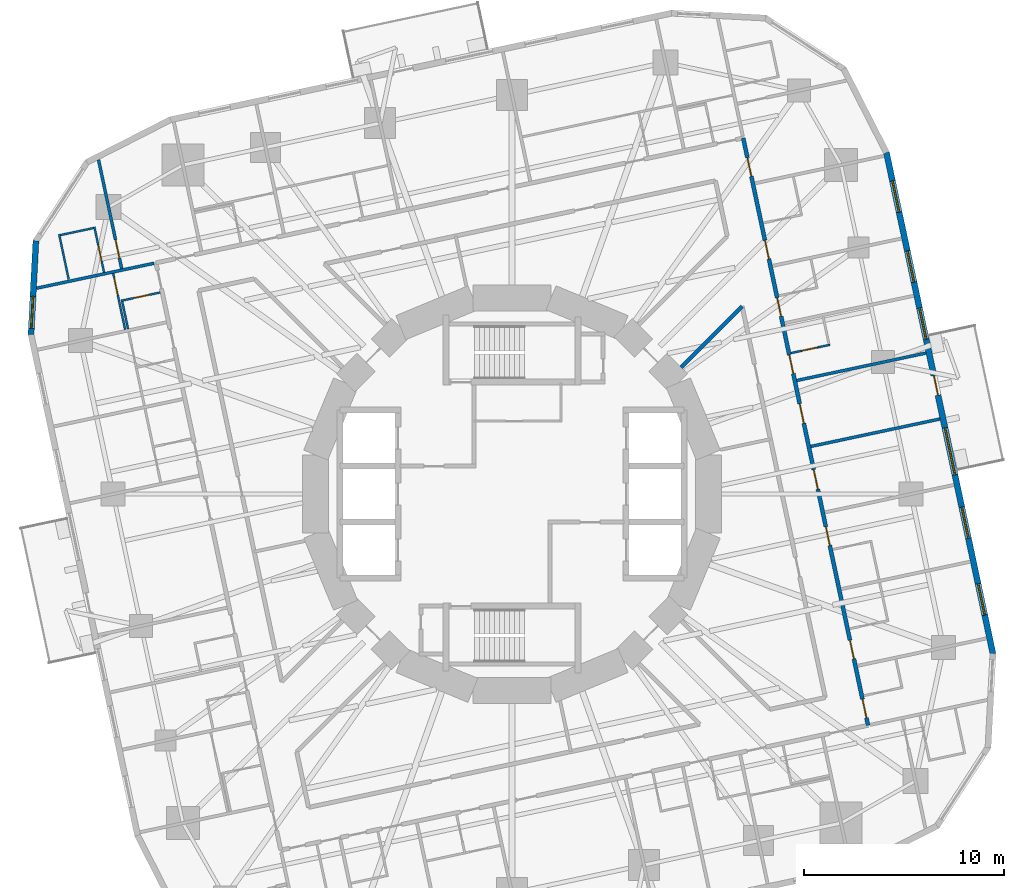
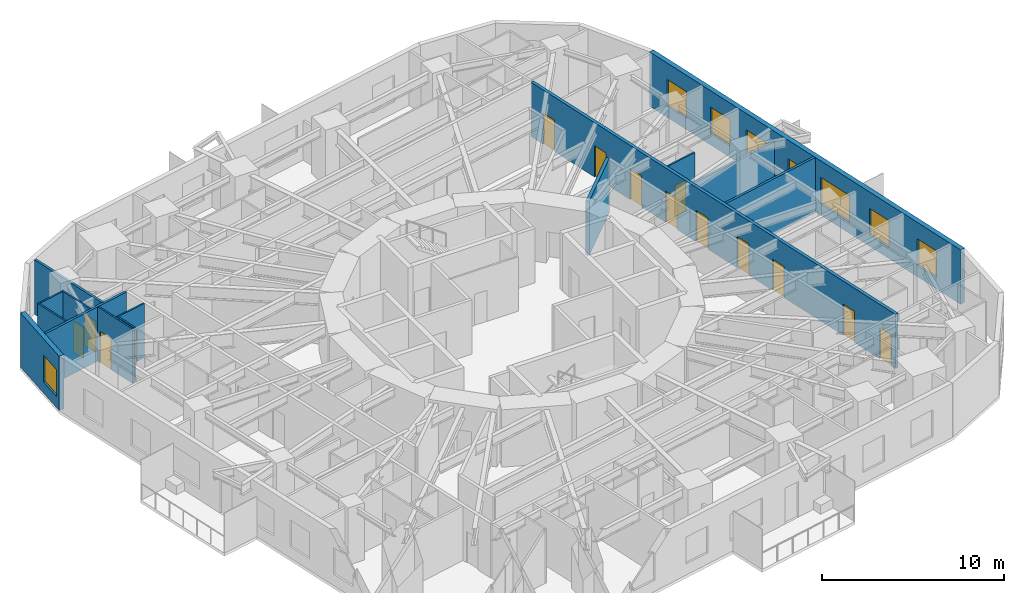
# One storey, part 9 of 14: 15 doors, 15 walls, 7 windows, 22 openings.
"""IFC4 building model written with IfcOpenShell, lengths in metres."""

from ifc_helpers import new_model, si_unit, direction, frame, frame_2d, origin, place, context, subcontext, project, spatial, rectangle, extrude, material, layer, layer_set, type_object, element, fill, save


model = new_model("IFC4")

# Units and contexts
model_context = context("Model", 3, precision=1e-05, world=origin(), true_north=direction((0.0, 1.0)))
body_context = subcontext(model_context, "Body", "Model", "MODEL_VIEW")
ifc_project = project(units=[si_unit("LENGTHUNIT", "METRE"), si_unit("AREAUNIT", "SQUARE_METRE"), si_unit("VOLUMEUNIT", "CUBIC_METRE"), si_unit("PLANEANGLEUNIT", "RADIAN"), si_unit("MASSUNIT", "GRAM", prefix="KILO")], contexts=[model_context])

# Site, building, storey
site_placement = place(None, origin())
site = spatial("IfcSite", under=ifc_project, at=site_placement, CompositionType="ELEMENT")
building_placement = place(site_placement, origin())
building = spatial("IfcBuilding", under=site, at=building_placement, Name="Nakasero Lantern House", CompositionType="ELEMENT")
storey_placement = place(building_placement, frame((0.0, 0.0, 116.550048828125)))
storey = spatial("IfcBuildingStorey", under=building, at=storey_placement, Name="L28", CompositionType="ELEMENT", Elevation=116.550048828125)

# Wall, openings, doors
ifc_material_1 = material(Name="Blockwork", Category="masonry")
ifc_layer_1 = layer(ifc_material_1, 0.199951171875)
ifc_layer_set_1 = layer_set([ifc_layer_1], Name="Corridor wall 200")
wall_type_1 = type_object("IfcWallType", Name="Corridor wall 200", PredefinedType="PARTITIONING", material=ifc_layer_set_1)
wall_1_placement = place(storey_placement, frame((17.790771484375, -11.553466796875, 0.0), z_axis=(0.0, 0.0, 1.0), x_axis=(-0.207911508826, 0.978147639417, 0.0)))
wall_1 = element("IfcWall", 1, at=wall_1_placement, inside=storey, type_object=wall_type_1, Name="Corridor wall L28 CW0", PredefinedType="PARTITIONING", context=body_context, shape_type="SweptSolid", body=[
    extrude(rectangle(XDim=29.999755859375, YDim=0.199951171875, at=frame_2d((15.0, 0.0))), origin(), (0.0, 0.0, 1.0), 3.64990234375),
])
opening_1_placement = place(wall_1_placement, frame((0.375, 0.0, 0.0)))
opening_1 = element("IfcOpeningElement", 2, at=opening_1_placement, cuts=wall_1, Name="Opening D01", PredefinedType="OPENING", context=body_context, shape_type="SweptSolid", body=[
    extrude(rectangle(XDim=0.949951171875, YDim=2.10009765625, at=frame_2d((0.47509765625, 1.050048828125))), frame((0.0, 0.119873046875, 0.0), z_axis=(0.0, -1.0, 0.0), x_axis=(1.0, 0.0, 0.0)), (0.0, 0.0, 1.0), 0.239990234375),
])
opening_2_placement = place(wall_1_placement, frame((3.39111328125, 0.0, 0.0)))
opening_2 = element("IfcOpeningElement", 3, at=opening_2_placement, cuts=wall_1, Name="Opening D01", PredefinedType="OPENING", context=body_context, shape_type="SweptSolid", body=[
    extrude(rectangle(XDim=0.949951171875, YDim=2.10009765625, at=frame_2d((0.47509765625, 1.050048828125))), frame((0.0, 0.119873046875, 0.0), z_axis=(0.0, -1.0, 0.0), x_axis=(1.0, 0.0, 0.0)), (0.0, 0.0, 1.0), 0.239990234375),
])
opening_3_placement = place(wall_1_placement, frame((9.185546875, 0.0, 0.0)))
opening_3 = element("IfcOpeningElement", 4, at=opening_3_placement, cuts=wall_1, Name="Opening D01", PredefinedType="OPENING", context=body_context, shape_type="SweptSolid", body=[
    extrude(rectangle(XDim=0.949951171875, YDim=2.10009765625, at=frame_2d((0.47509765625, 1.050048828125))), frame((0.0, 0.119873046875, 0.0), z_axis=(0.0, -1.0, 0.0), x_axis=(1.0, 0.0, 0.0)), (0.0, 0.0, 1.0), 0.239990234375),
])
opening_4_placement = place(wall_1_placement, frame((17.967529296875, 0.0, 0.0)))
opening_4 = element("IfcOpeningElement", 5, at=opening_4_placement, cuts=wall_1, Name="Opening D01", PredefinedType="OPENING", context=body_context, shape_type="SweptSolid", body=[
    extrude(rectangle(XDim=0.949951171875, YDim=2.10009765625, at=frame_2d((0.47509765625, 1.050048828125))), frame((0.0, 0.119873046875, 0.0), z_axis=(0.0, -1.0, 0.0), x_axis=(1.0, 0.0, 0.0)), (0.0, 0.0, 1.0), 0.239990234375),
])
opening_5_placement = place(wall_1_placement, frame((20.89404296875, 0.0, 0.0)))
opening_5 = element("IfcOpeningElement", 6, at=opening_5_placement, cuts=wall_1, Name="Opening D01", PredefinedType="OPENING", context=body_context, shape_type="SweptSolid", body=[
    extrude(rectangle(XDim=0.949951171875, YDim=2.10009765625, at=frame_2d((0.47509765625, 1.050048828125))), frame((0.0, 0.119873046875, 0.0), z_axis=(0.0, -1.0, 0.0), x_axis=(1.0, 0.0, 0.0)), (0.0, 0.0, 1.0), 0.239990234375),
])
opening_6_placement = place(wall_1_placement, frame((23.8203125, 0.0, 0.0)))
opening_6 = element("IfcOpeningElement", 7, at=opening_6_placement, cuts=wall_1, Name="Opening D01", PredefinedType="OPENING", context=body_context, shape_type="SweptSolid", body=[
    extrude(rectangle(XDim=0.949951171875, YDim=2.10009765625, at=frame_2d((0.47509765625, 1.050048828125))), frame((0.0, 0.119873046875, 0.0), z_axis=(0.0, -1.0, 0.0), x_axis=(1.0, 0.0, 0.0)), (0.0, 0.0, 1.0), 0.239990234375),
])
opening_7_placement = place(wall_1_placement, frame((28.038330078125, 0.0, 0.0)))
opening_7 = element("IfcOpeningElement", 8, at=opening_7_placement, cuts=wall_1, Name="Opening D01", PredefinedType="OPENING", context=body_context, shape_type="SweptSolid", body=[
    extrude(rectangle(XDim=0.949951171875, YDim=2.10009765625, at=frame_2d((0.47509765625, 1.050048828125))), frame((0.0, 0.119873046875, 0.0), z_axis=(0.0, -1.0, 0.0), x_axis=(1.0, 0.0, 0.0)), (0.0, 0.0, 1.0), 0.239990234375),
])
opening_8_placement = place(wall_1_placement, frame((12.05517578125, 0.0, 0.0)))
opening_8 = element("IfcOpeningElement", 9, at=opening_8_placement, cuts=wall_1, Name="Opening D03", PredefinedType="OPENING", context=body_context, shape_type="SweptSolid", body=[
    extrude(rectangle(XDim=1.0, YDim=2.10009765625, at=frame_2d((0.5, 1.050048828125))), frame((0.0, 0.119873046875, 0.0), z_axis=(0.0, -1.0, 0.0), x_axis=(1.0, 0.0, 0.0)), (0.0, 0.0, 1.0), 0.239990234375),
])
opening_9_placement = place(wall_1_placement, frame((15.423828125, 0.0, 0.0)))
opening_9 = element("IfcOpeningElement", 10, at=opening_9_placement, cuts=wall_1, Name="Opening D03", PredefinedType="OPENING", context=body_context, shape_type="SweptSolid", body=[
    extrude(rectangle(XDim=1.0, YDim=2.10009765625, at=frame_2d((0.5, 1.050048828125))), frame((0.0, 0.119873046875, 0.0), z_axis=(0.0, -1.0, 0.0), x_axis=(1.0, 0.0, 0.0)), (0.0, 0.0, 1.0), 0.239990234375),
])
ifc_material_2 = material(Name="Timber C24", Category="wood")
door_type_1 = type_object("IfcDoorType", Name="Bedroom door FD30S 950", OperationType="SINGLE_SWING_LEFT", PredefinedType="DOOR", material=ifc_material_2)
door_1_placement = place(opening_1_placement, origin())
door_1 = element("IfcDoor", 11, at=door_1_placement, inside=storey, type_object=door_type_1, Name="Door L28 D0-00", OperationType="SINGLE_SWING_LEFT", OverallHeight=2.10009765625, OverallWidth=0.949951171875, PredefinedType="DOOR", context=body_context, shape_type="SweptSolid", body=[
    extrude(rectangle(XDim=0.949951171875, YDim=2.10009765625, at=frame_2d((0.47509765625, 1.050048828125))), frame((0.0, 0.02490234375, 0.0), z_axis=(0.0, -1.0, 0.0), x_axis=(1.0, 0.0, 0.0)), (0.0, 0.0, 1.0), 0.050048828125),
])
fill(opening_1, door_1)
door_2_placement = place(opening_2_placement, origin())
door_2 = element("IfcDoor", 12, at=door_2_placement, inside=storey, type_object=door_type_1, Name="Door L28 D0-01", OperationType="SINGLE_SWING_LEFT", OverallHeight=2.10009765625, OverallWidth=0.949951171875, PredefinedType="DOOR", context=body_context, shape_type="SweptSolid", body=[
    extrude(rectangle(XDim=0.949951171875, YDim=2.10009765625, at=frame_2d((0.47509765625, 1.050048828125))), frame((0.0, 0.02490234375, 0.0), z_axis=(0.0, -1.0, 0.0), x_axis=(1.0, 0.0, 0.0)), (0.0, 0.0, 1.0), 0.050048828125),
])
fill(opening_2, door_2)
door_3_placement = place(opening_3_placement, origin())
door_3 = element("IfcDoor", 13, at=door_3_placement, inside=storey, type_object=door_type_1, Name="Door L28 D0-02", OperationType="SINGLE_SWING_LEFT", OverallHeight=2.10009765625, OverallWidth=0.949951171875, PredefinedType="DOOR", context=body_context, shape_type="SweptSolid", body=[
    extrude(rectangle(XDim=0.949951171875, YDim=2.10009765625, at=frame_2d((0.47509765625, 1.050048828125))), frame((0.0, 0.02490234375, 0.0), z_axis=(0.0, -1.0, 0.0), x_axis=(1.0, 0.0, 0.0)), (0.0, 0.0, 1.0), 0.050048828125),
])
fill(opening_3, door_3)
door_4_placement = place(opening_4_placement, origin())
door_4 = element("IfcDoor", 14, at=door_4_placement, inside=storey, type_object=door_type_1, Name="Door L28 D0-05", OperationType="SINGLE_SWING_RIGHT", OverallHeight=2.10009765625, OverallWidth=0.949951171875, PredefinedType="DOOR", context=body_context, shape_type="SweptSolid", body=[
    extrude(rectangle(XDim=0.949951171875, YDim=2.10009765625, at=frame_2d((0.47509765625, 1.050048828125))), frame((0.0, 0.02490234375, 0.0), z_axis=(0.0, -1.0, 0.0), x_axis=(1.0, 0.0, 0.0)), (0.0, 0.0, 1.0), 0.050048828125),
])
fill(opening_4, door_4)
door_5_placement = place(opening_5_placement, origin())
door_5 = element("IfcDoor", 15, at=door_5_placement, inside=storey, type_object=door_type_1, Name="Door L28 D0-06", OperationType="SINGLE_SWING_RIGHT", OverallHeight=2.10009765625, OverallWidth=0.949951171875, PredefinedType="DOOR", context=body_context, shape_type="SweptSolid", body=[
    extrude(rectangle(XDim=0.949951171875, YDim=2.10009765625, at=frame_2d((0.47509765625, 1.050048828125))), frame((0.0, 0.02490234375, 0.0), z_axis=(0.0, -1.0, 0.0), x_axis=(1.0, 0.0, 0.0)), (0.0, 0.0, 1.0), 0.050048828125),
])
fill(opening_5, door_5)
door_6_placement = place(opening_6_placement, origin())
door_6 = element("IfcDoor", 16, at=door_6_placement, inside=storey, type_object=door_type_1, Name="Door L28 D0-07", OperationType="SINGLE_SWING_RIGHT", OverallHeight=2.10009765625, OverallWidth=0.949951171875, PredefinedType="DOOR", context=body_context, shape_type="SweptSolid", body=[
    extrude(rectangle(XDim=0.949951171875, YDim=2.10009765625, at=frame_2d((0.47509765625, 1.050048828125))), frame((0.0, 0.02490234375, 0.0), z_axis=(0.0, -1.0, 0.0), x_axis=(1.0, 0.0, 0.0)), (0.0, 0.0, 1.0), 0.050048828125),
])
fill(opening_6, door_6)
door_7_placement = place(opening_7_placement, origin())
door_7 = element("IfcDoor", 17, at=door_7_placement, inside=storey, type_object=door_type_1, Name="Door L28 D0-08", OperationType="SINGLE_SWING_RIGHT", OverallHeight=2.10009765625, OverallWidth=0.949951171875, PredefinedType="DOOR", context=body_context, shape_type="SweptSolid", body=[
    extrude(rectangle(XDim=0.949951171875, YDim=2.10009765625, at=frame_2d((0.47509765625, 1.050048828125))), frame((0.0, 0.02490234375, 0.0), z_axis=(0.0, -1.0, 0.0), x_axis=(1.0, 0.0, 0.0)), (0.0, 0.0, 1.0), 0.050048828125),
])
fill(opening_7, door_7)
ifc_material_3 = material(Name="Timber C24", Category="wood")
door_type_2 = type_object("IfcDoorType", Name="Lounge door FD30S 1000", OperationType="SINGLE_SWING_LEFT", PredefinedType="DOOR", material=ifc_material_3)
door_8_placement = place(opening_8_placement, origin())
door_8 = element("IfcDoor", 18, at=door_8_placement, inside=storey, type_object=door_type_2, Name="Door L28 DK0", OperationType="SINGLE_SWING_LEFT", OverallHeight=2.10009765625, OverallWidth=1.0, PredefinedType="DOOR", context=body_context, shape_type="SweptSolid", body=[
    extrude(rectangle(XDim=1.0, YDim=2.10009765625, at=frame_2d((0.5, 1.050048828125))), frame((0.0, 0.02490234375, 0.0), z_axis=(0.0, -1.0, 0.0), x_axis=(1.0, 0.0, 0.0)), (0.0, 0.0, 1.0), 0.050048828125),
])
fill(opening_8, door_8)
door_9_placement = place(opening_9_placement, origin())
door_9 = element("IfcDoor", 19, at=door_9_placement, inside=storey, type_object=door_type_2, Name="Door L28 DK0-1", OperationType="SINGLE_SWING_RIGHT", OverallHeight=2.10009765625, OverallWidth=1.0, PredefinedType="DOOR", context=body_context, shape_type="SweptSolid", body=[
    extrude(rectangle(XDim=1.0, YDim=2.10009765625, at=frame_2d((0.5, 1.050048828125))), frame((0.0, 0.02490234375, 0.0), z_axis=(0.0, -1.0, 0.0), x_axis=(1.0, 0.0, 0.0)), (0.0, 0.0, 1.0), 0.050048828125),
])
fill(opening_9, door_9)

# Wall
wall_2_placement = place(storey_placement, frame((8.45556640625, 6.334228515625, 0.0), z_axis=(0.0, 0.0, 1.0), x_axis=(0.707106781187, 0.707106781187, 0.0)))
element("IfcWall", 20, at=wall_2_placement, inside=storey, type_object=wall_type_1, Name="Corridor wall L28 PS02b", PredefinedType="PARTITIONING", context=body_context, shape_type="SweptSolid", body=[
    extrude(rectangle(XDim=4.30712890625, YDim=0.199951171875, at=frame_2d((2.153564453125, 0.0))), origin(), (0.0, 0.0, 1.0), 3.64990234375),
])

# Wall, opening, door
ifc_material_4 = material(Name="Blockwork", Category="masonry")
ifc_layer_2 = layer(ifc_material_4, 0.10009765625)
ifc_layer_set_2 = layer_set([ifc_layer_2], Name="En-suite wall 100")
wall_type_2 = type_object("IfcWallType", Name="En-suite wall 100", PredefinedType="PARTITIONING", material=ifc_layer_set_2)
wall_3_placement = place(storey_placement, frame((13.939697265625, 7.046142578125, 0.0), z_axis=(0.0, 0.0, 1.0), x_axis=(0.978152955943, 0.207886494942, 0.0)))
wall_3 = element("IfcWall", 21, at=wall_3_placement, inside=storey, type_object=wall_type_2, Name="En-suite wall L28 ES0-05", PredefinedType="PARTITIONING", context=body_context, shape_type="SweptSolid", body=[
    extrude(rectangle(XDim=2.0, YDim=0.10009765625, at=frame_2d((1.0, 0.0))), origin(), (0.0, 0.0, 1.0), 3.64990234375),
])
opening_10_placement = place(wall_3_placement, frame((0.550048828125, 0.0, 0.0)))
opening_10 = element("IfcOpeningElement", 22, at=opening_10_placement, cuts=wall_3, Name="Opening D02", PredefinedType="OPENING", context=body_context, shape_type="SweptSolid", body=[
    extrude(rectangle(XDim=0.800048828125, YDim=2.10009765625, at=frame_2d((0.39990234375, 1.050048828125))), frame((0.0, 0.070068359375, 0.0), z_axis=(0.0, -1.0, 0.0), x_axis=(1.0, 0.0, 0.0)), (0.0, 0.0, 1.0), 0.14013671875),
])
ifc_material_5 = material(Name="Timber C24", Category="wood")
door_type_3 = type_object("IfcDoorType", Name="En-suite door 800", OperationType="SINGLE_SWING_RIGHT", PredefinedType="DOOR", material=ifc_material_5)
door_10_placement = place(opening_10_placement, origin())
door_10 = element("IfcDoor", 23, at=door_10_placement, inside=storey, type_object=door_type_3, Name="Door L28 DE0-05", OperationType="SINGLE_SWING_LEFT", OverallHeight=2.10009765625, OverallWidth=0.800048828125, PredefinedType="DOOR", context=body_context, shape_type="SweptSolid", body=[
    extrude(rectangle(XDim=0.800048828125, YDim=2.10009765625, at=frame_2d((0.39990234375, 1.050048828125))), frame((0.0, 0.02490234375, 0.0), z_axis=(0.0, -1.0, 0.0), x_axis=(1.0, 0.0, 0.0)), (0.0, 0.0, 1.0), 0.050048828125),
])
fill(opening_10, door_10)

wall_4_placement = place(storey_placement, frame((-20.382568359375, 11.069091796875, 0.0), z_axis=(0.0, 0.0, 1.0), x_axis=(-0.207965047255, 0.978136257952, 0.0)))
wall_4 = element("IfcWall", 24, at=wall_4_placement, inside=storey, type_object=wall_type_2, Name="En-suite wall L28 ES1-08", PredefinedType="PARTITIONING", context=body_context, shape_type="SweptSolid", body=[
    extrude(rectangle(XDim=2.3349609375, YDim=0.10009765625, at=frame_2d((1.16748046875, 0.0))), origin(), (0.0, 0.0, 1.0), 3.64990234375),
])
opening_11_placement = place(wall_4_placement, frame((0.5849609375, 0.0, 0.0)))
opening_11 = element("IfcOpeningElement", 25, at=opening_11_placement, cuts=wall_4, Name="Opening D02", PredefinedType="OPENING", context=body_context, shape_type="SweptSolid", body=[
    extrude(rectangle(XDim=0.800048828125, YDim=2.10009765625, at=frame_2d((0.39990234375, 1.050048828125))), frame((0.0, 0.070068359375, 0.0), z_axis=(0.0, -1.0, 0.0), x_axis=(1.0, 0.0, 0.0)), (0.0, 0.0, 1.0), 0.14013671875),
])
door_11_placement = place(opening_11_placement, origin())
door_11 = element("IfcDoor", 26, at=door_11_placement, inside=storey, type_object=door_type_3, Name="Door L28 DE1-08", OperationType="SINGLE_SWING_LEFT", OverallHeight=2.10009765625, OverallWidth=0.800048828125, PredefinedType="DOOR", context=body_context, shape_type="SweptSolid", body=[
    extrude(rectangle(XDim=0.800048828125, YDim=2.10009765625, at=frame_2d((0.39990234375, 1.050048828125))), frame((0.0, 0.02490234375, 0.0), z_axis=(0.0, -1.0, 0.0), x_axis=(1.0, 0.0, 0.0)), (0.0, 0.0, 1.0), 0.050048828125),
])
fill(opening_11, door_11)

# Walls
wall_5_placement = place(storey_placement, frame((-20.906494140625, 13.293701171875, 0.0), z_axis=(0.0, 0.0, 1.0), x_axis=(-0.978168704767, -0.207812379357, 0.0)))
element("IfcWall", 27, at=wall_5_placement, inside=storey, type_object=wall_type_2, Name="En-suite wall L28 EE1-08", PredefinedType="PARTITIONING", context=body_context, shape_type="SweptSolid", body=[
    extrude(rectangle(XDim=1.699951171875, YDim=0.10009765625, at=frame_2d((0.85009765625, 0.0))), origin(), (0.0, 0.0, 1.0), 3.64990234375),
])
wall_6_placement = place(storey_placement, frame((-22.150634765625, 10.72900390625, 0.0), z_axis=(0.0, 0.0, 1.0), x_axis=(-0.207839712757, 0.978162897375, 0.0)))
element("IfcWall", 28, at=wall_6_placement, inside=storey, type_object=wall_type_2, Name="En-suite wall L28 EV1-08", PredefinedType="PARTITIONING", context=body_context, shape_type="SweptSolid", body=[
    extrude(rectangle(XDim=2.300048828125, YDim=0.10009765625, at=frame_2d((1.14990234375, 0.0))), origin(), (0.0, 0.0, 1.0), 3.64990234375),
])

# Wall, opening, door
wall_7_placement = place(storey_placement, frame((-17.57861328125, 10.07421875, 0.0), z_axis=(0.0, 0.0, 1.0), x_axis=(-0.978152955943, -0.207886494942, 0.0)))
wall_7 = element("IfcWall", 29, at=wall_7_placement, inside=storey, type_object=wall_type_2, Name="En-suite wall L28 ES2-00", PredefinedType="PARTITIONING", context=body_context, shape_type="SweptSolid", body=[
    extrude(rectangle(XDim=2.0, YDim=0.10009765625, at=frame_2d((1.0, 0.0))), origin(), (0.0, 0.0, 1.0), 3.64990234375),
])
opening_12_placement = place(wall_7_placement, frame((0.550048828125, 0.0, 0.0)))
opening_12 = element("IfcOpeningElement", 30, at=opening_12_placement, cuts=wall_7, Name="Opening D02", PredefinedType="OPENING", context=body_context, shape_type="SweptSolid", body=[
    extrude(rectangle(XDim=0.800048828125, YDim=2.10009765625, at=frame_2d((0.39990234375, 1.050048828125))), frame((0.0, 0.070068359375, 0.0), z_axis=(0.0, -1.0, 0.0), x_axis=(1.0, 0.0, 0.0)), (0.0, 0.0, 1.0), 0.14013671875),
])
door_12_placement = place(opening_12_placement, origin())
door_12 = element("IfcDoor", 31, at=door_12_placement, inside=storey, type_object=door_type_3, Name="Door L28 DE2-00", OperationType="SINGLE_SWING_LEFT", OverallHeight=2.10009765625, OverallWidth=0.800048828125, PredefinedType="DOOR", context=body_context, shape_type="SweptSolid", body=[
    extrude(rectangle(XDim=0.800048828125, YDim=2.10009765625, at=frame_2d((0.39990234375, 1.050048828125))), frame((0.0, 0.02490234375, 0.0), z_axis=(0.0, -1.0, 0.0), x_axis=(1.0, 0.0, 0.0)), (0.0, 0.0, 1.0), 0.050048828125),
])
fill(opening_12, door_12)

# Wall
wall_8_placement = place(storey_placement, frame((-19.4755859375, 9.619873046875, 0.0), z_axis=(0.0, 0.0, 1.0), x_axis=(0.207873355681, -0.978155748334, 0.0)))
element("IfcWall", 32, at=wall_8_placement, inside=storey, type_object=wall_type_2, Name="En-suite wall L28 EE2-00", PredefinedType="PARTITIONING", context=body_context, shape_type="SweptSolid", body=[
    extrude(rectangle(XDim=1.39990234375, YDim=0.10009765625, at=frame_2d((0.699951171875, 0.0))), origin(), (0.0, 0.0, 1.0), 3.64990234375),
])

# Wall, opening, door
wall_9_placement = place(storey_placement, frame((-19.92724609375, 11.022705078125, 0.0), z_axis=(0.0, 0.0, 1.0), x_axis=(0.207929050419, -0.978143910676, 0.0)))
wall_9 = element("IfcWall", 33, at=wall_9_placement, inside=storey, type_object=wall_type_2, Name="En-suite wall L28 EL2-00", PredefinedType="PARTITIONING", context=body_context, shape_type="SweptSolid", body=[
    extrude(rectangle(XDim=2.8662109375, YDim=0.10009765625, at=frame_2d((1.43310546875, 0.0))), origin(), (0.0, 0.0, 1.0), 3.64990234375),
])
opening_13_placement = place(wall_9_placement, frame((0.199951171875, 0.0, 0.0)))
opening_13 = element("IfcOpeningElement", 34, at=opening_13_placement, cuts=wall_9, Name="Opening D17", PredefinedType="OPENING", context=body_context, shape_type="SweptSolid", body=[
    extrude(rectangle(XDim=0.89990234375, YDim=2.10009765625, at=frame_2d((0.449951171875, 1.050048828125))), frame((0.0, 0.070068359375, 0.0), z_axis=(0.0, -1.0, 0.0), x_axis=(1.0, 0.0, 0.0)), (0.0, 0.0, 1.0), 0.14013671875),
])
ifc_material_6 = material(Name="Timber C24", Category="wood")
door_type_4 = type_object("IfcDoorType", Name="Bedroom door FD30S 900", OperationType="SINGLE_SWING_LEFT", PredefinedType="DOOR", material=ifc_material_6)
door_13_placement = place(opening_13_placement, origin())
door_13 = element("IfcDoor", 35, at=door_13_placement, inside=storey, type_object=door_type_4, Name="Door L28 DL2-00", OperationType="SINGLE_SWING_LEFT", OverallHeight=2.10009765625, OverallWidth=0.89990234375, PredefinedType="DOOR", context=body_context, shape_type="SweptSolid", body=[
    extrude(rectangle(XDim=0.89990234375, YDim=2.10009765625, at=frame_2d((0.449951171875, 1.050048828125))), frame((0.0, 0.02490234375, 0.0), z_axis=(0.0, -1.0, 0.0), x_axis=(1.0, 0.0, 0.0)), (0.0, 0.0, 1.0), 0.050048828125),
])
fill(opening_13, door_13)

# Wall, openings, door, windows
ifc_material_7 = material(Name="Aluminium rainscreen on blockwork", Category="masonry")
ifc_layer_3 = layer(ifc_material_7, 0.300048828125)
ifc_layer_set_3 = layer_set([ifc_layer_3], Name="Facade wall 300")
wall_type_3 = type_object("IfcWallType", Name="Facade wall 300", PredefinedType="SOLIDWALL", material=ifc_layer_set_3)
wall_10_placement = place(storey_placement, frame((24.03369140625, -7.9775390625, 0.0), z_axis=(0.0, 0.0, 1.0), x_axis=(-0.207909055127, 0.978148160964, 0.0)))
wall_10 = element("IfcWall", 36, at=wall_10_placement, inside=storey, type_object=wall_type_3, Name="Facade wall L28 FW0S", PredefinedType="SOLIDWALL", context=body_context, shape_type="SweptSolid", body=[
    extrude(rectangle(XDim=25.60009765625, YDim=0.300048828125, at=frame_2d((12.800048828125, 0.0))), origin(), (0.0, 0.0, 1.0), 3.64990234375),
])
opening_14_placement = place(wall_10_placement, frame((1.975830078125, 0.0, 0.75)))
opening_14 = element("IfcOpeningElement", 37, at=opening_14_placement, cuts=wall_10, Name="Opening W01", PredefinedType="OPENING", context=body_context, shape_type="SweptSolid", body=[
    extrude(rectangle(XDim=1.60009765625, YDim=1.800048828125, at=frame_2d((0.800048828125, 0.89990234375))), frame((0.0, 0.169921875, 0.0), z_axis=(0.0, -1.0, 0.0), x_axis=(1.0, 0.0, 0.0)), (0.0, 0.0, 1.0), 0.340087890625),
])
opening_15_placement = place(wall_10_placement, frame((5.8955078125, 0.0, 0.75)))
opening_15 = element("IfcOpeningElement", 38, at=opening_15_placement, cuts=wall_10, Name="Opening W01", PredefinedType="OPENING", context=body_context, shape_type="SweptSolid", body=[
    extrude(rectangle(XDim=1.60009765625, YDim=1.800048828125, at=frame_2d((0.800048828125, 0.89990234375))), frame((0.0, 0.169921875, 0.0), z_axis=(0.0, -1.0, 0.0), x_axis=(1.0, 0.0, 0.0)), (0.0, 0.0, 1.0), 0.340087890625),
])
opening_16_placement = place(wall_10_placement, frame((16.0556640625, 0.0, 0.75)))
opening_16 = element("IfcOpeningElement", 39, at=opening_16_placement, cuts=wall_10, Name="Opening W01", PredefinedType="OPENING", context=body_context, shape_type="SweptSolid", body=[
    extrude(rectangle(XDim=1.60009765625, YDim=1.800048828125, at=frame_2d((0.800048828125, 0.89990234375))), frame((0.0, 0.169921875, 0.0), z_axis=(0.0, -1.0, 0.0), x_axis=(1.0, 0.0, 0.0)), (0.0, 0.0, 1.0), 0.340087890625),
])
opening_17_placement = place(wall_10_placement, frame((18.982177734375, 0.0, 0.75)))
opening_17 = element("IfcOpeningElement", 40, at=opening_17_placement, cuts=wall_10, Name="Opening W01", PredefinedType="OPENING", context=body_context, shape_type="SweptSolid", body=[
    extrude(rectangle(XDim=1.60009765625, YDim=1.800048828125, at=frame_2d((0.800048828125, 0.89990234375))), frame((0.0, 0.169921875, 0.0), z_axis=(0.0, -1.0, 0.0), x_axis=(1.0, 0.0, 0.0)), (0.0, 0.0, 1.0), 0.340087890625),
])
opening_18_placement = place(wall_10_placement, frame((22.554443359375, 0.0, 0.75)))
opening_18 = element("IfcOpeningElement", 41, at=opening_18_placement, cuts=wall_10, Name="Opening W01", PredefinedType="OPENING", context=body_context, shape_type="SweptSolid", body=[
    extrude(rectangle(XDim=1.60009765625, YDim=1.800048828125, at=frame_2d((0.800048828125, 0.89990234375))), frame((0.0, 0.169921875, 0.0), z_axis=(0.0, -1.0, 0.0), x_axis=(1.0, 0.0, 0.0)), (0.0, 0.0, 1.0), 0.340087890625),
])
opening_19_placement = place(wall_10_placement, frame((9.139404296875, 0.0, 0.75)))
opening_19 = element("IfcOpeningElement", 42, at=opening_19_placement, cuts=wall_10, Name="Opening W03", PredefinedType="OPENING", context=body_context, shape_type="SweptSolid", body=[
    extrude(rectangle(XDim=2.39990234375, YDim=1.800048828125, at=frame_2d((1.199951171875, 0.89990234375))), frame((0.0, 0.169921875, 0.0), z_axis=(0.0, -1.0, 0.0), x_axis=(1.0, 0.0, 0.0)), (0.0, 0.0, 1.0), 0.340087890625),
])
opening_20_placement = place(wall_10_placement, frame((13.208251953125, 0.0, 0.0)))
opening_20 = element("IfcOpeningElement", 43, at=opening_20_placement, cuts=wall_10, Name="Opening D04", PredefinedType="OPENING", context=body_context, shape_type="SweptSolid", body=[
    extrude(rectangle(XDim=1.0, YDim=2.39990234375, at=frame_2d((0.5, 1.199951171875))), frame((0.0, 0.169921875, 0.0), z_axis=(0.0, -1.0, 0.0), x_axis=(1.0, 0.0, 0.0)), (0.0, 0.0, 1.0), 0.340087890625),
])
ifc_material_8 = material(Name="Aluminium 6063-T6 and glass", Category="aluminium")
door_type_5 = type_object("IfcDoorType", Name="Balcony door 1000x2400", OperationType="SINGLE_SWING_RIGHT", PredefinedType="DOOR", material=ifc_material_8)
door_14_placement = place(opening_20_placement, origin())
door_14 = element("IfcDoor", 44, at=door_14_placement, inside=storey, type_object=door_type_5, Name="Balcony door L28 DB0", OperationType="SINGLE_SWING_RIGHT", OverallHeight=2.39990234375, OverallWidth=1.0, PredefinedType="DOOR", context=body_context, shape_type="SweptSolid", body=[
    extrude(rectangle(XDim=1.0, YDim=2.39990234375, at=frame_2d((0.5, 1.199951171875))), frame((0.0, 0.02490234375, 0.0), z_axis=(0.0, -1.0, 0.0), x_axis=(1.0, 0.0, 0.0)), (0.0, 0.0, 1.0), 0.050048828125),
])
fill(opening_20, door_14)
ifc_material_9 = material(Name="Aluminium 6063-T6 and glass", Category="aluminium")
window_type_1 = type_object("IfcWindowType", Name="Bedroom window 1600x1800", PartitioningType="SINGLE_PANEL", PredefinedType="WINDOW", material=ifc_material_9)
window_1_placement = place(opening_14_placement, origin())
window_1 = element("IfcWindow", 45, at=window_1_placement, inside=storey, type_object=window_type_1, Name="Window L28 WN0-01", OverallHeight=1.800048828125, OverallWidth=1.60009765625, PartitioningType="SINGLE_PANEL", PredefinedType="WINDOW", context=body_context, shape_type="SweptSolid", body=[
    extrude(rectangle(XDim=1.60009765625, YDim=1.800048828125, at=frame_2d((0.800048828125, 0.89990234375))), frame((0.0, 0.030029296875, 0.0), z_axis=(0.0, -1.0, 0.0), x_axis=(1.0, 0.0, 0.0)), (0.0, 0.0, 1.0), 0.06005859375),
])
fill(opening_14, window_1)
window_2_placement = place(opening_15_placement, origin())
window_2 = element("IfcWindow", 46, at=window_2_placement, inside=storey, type_object=window_type_1, Name="Window L28 WN0-02", OverallHeight=1.800048828125, OverallWidth=1.60009765625, PartitioningType="SINGLE_PANEL", PredefinedType="WINDOW", context=body_context, shape_type="SweptSolid", body=[
    extrude(rectangle(XDim=1.60009765625, YDim=1.800048828125, at=frame_2d((0.800048828125, 0.89990234375))), frame((0.0, 0.030029296875, 0.0), z_axis=(0.0, -1.0, 0.0), x_axis=(1.0, 0.0, 0.0)), (0.0, 0.0, 1.0), 0.06005859375),
])
fill(opening_15, window_2)
window_3_placement = place(opening_16_placement, origin())
window_3 = element("IfcWindow", 47, at=window_3_placement, inside=storey, type_object=window_type_1, Name="Window L28 WN0-05", OverallHeight=1.800048828125, OverallWidth=1.60009765625, PartitioningType="SINGLE_PANEL", PredefinedType="WINDOW", context=body_context, shape_type="SweptSolid", body=[
    extrude(rectangle(XDim=1.60009765625, YDim=1.800048828125, at=frame_2d((0.800048828125, 0.89990234375))), frame((0.0, 0.030029296875, 0.0), z_axis=(0.0, -1.0, 0.0), x_axis=(1.0, 0.0, 0.0)), (0.0, 0.0, 1.0), 0.06005859375),
])
fill(opening_16, window_3)
window_4_placement = place(opening_17_placement, origin())
window_4 = element("IfcWindow", 48, at=window_4_placement, inside=storey, type_object=window_type_1, Name="Window L28 WN0-06", OverallHeight=1.800048828125, OverallWidth=1.60009765625, PartitioningType="SINGLE_PANEL", PredefinedType="WINDOW", context=body_context, shape_type="SweptSolid", body=[
    extrude(rectangle(XDim=1.60009765625, YDim=1.800048828125, at=frame_2d((0.800048828125, 0.89990234375))), frame((0.0, 0.030029296875, 0.0), z_axis=(0.0, -1.0, 0.0), x_axis=(1.0, 0.0, 0.0)), (0.0, 0.0, 1.0), 0.06005859375),
])
fill(opening_17, window_4)
window_5_placement = place(opening_18_placement, origin())
window_5 = element("IfcWindow", 49, at=window_5_placement, inside=storey, type_object=window_type_1, Name="Window L28 WN0-07", OverallHeight=1.800048828125, OverallWidth=1.60009765625, PartitioningType="SINGLE_PANEL", PredefinedType="WINDOW", context=body_context, shape_type="SweptSolid", body=[
    extrude(rectangle(XDim=1.60009765625, YDim=1.800048828125, at=frame_2d((0.800048828125, 0.89990234375))), frame((0.0, 0.030029296875, 0.0), z_axis=(0.0, -1.0, 0.0), x_axis=(1.0, 0.0, 0.0)), (0.0, 0.0, 1.0), 0.06005859375),
])
fill(opening_18, window_5)
ifc_material_10 = material(Name="Aluminium 6063-T6 and glass", Category="aluminium")
window_type_2 = type_object("IfcWindowType", Name="Lounge window 2400x1800", PartitioningType="SINGLE_PANEL", PredefinedType="WINDOW", material=ifc_material_10)
window_6_placement = place(opening_19_placement, origin())
window_6 = element("IfcWindow", 50, at=window_6_placement, inside=storey, type_object=window_type_2, Name="Window L28 WK0", OverallHeight=1.800048828125, OverallWidth=2.39990234375, PartitioningType="SINGLE_PANEL", PredefinedType="WINDOW", context=body_context, shape_type="SweptSolid", body=[
    extrude(rectangle(XDim=2.39990234375, YDim=1.800048828125, at=frame_2d((1.199951171875, 0.89990234375))), frame((0.0, 0.030029296875, 0.0), z_axis=(0.0, -1.0, 0.0), x_axis=(1.0, 0.0, 0.0)), (0.0, 0.0, 1.0), 0.06005859375),
])
fill(opening_19, window_6)

# Wall, opening, window
wall_11_placement = place(storey_placement, frame((-23.78857421875, 12.655517578125, 0.0), z_axis=(0.0, 0.0, 1.0), x_axis=(-0.052326317, -0.998630039879, 0.0)))
wall_11 = element("IfcWall", 51, at=wall_11_placement, inside=storey, type_object=wall_type_3, Name="Facade wall L28 FW1C3", PredefinedType="SOLIDWALL", context=body_context, shape_type="SweptSolid", body=[
    extrude(rectangle(XDim=4.684326171875, YDim=0.300048828125, at=frame_2d((2.34228515625, 0.0))), origin(), (0.0, 0.0, 1.0), 3.64990234375),
])
opening_21_placement = place(wall_11_placement, frame((2.784912109375, 0.0, 0.75)))
opening_21 = element("IfcOpeningElement", 52, at=opening_21_placement, cuts=wall_11, Name="Opening W01", PredefinedType="OPENING", context=body_context, shape_type="SweptSolid", body=[
    extrude(rectangle(XDim=1.60009765625, YDim=1.800048828125, at=frame_2d((0.800048828125, 0.89990234375))), frame((0.0, 0.169921875, 0.0), z_axis=(0.0, -1.0, 0.0), x_axis=(1.0, 0.0, 0.0)), (0.0, 0.0, 1.0), 0.340087890625),
])
window_7_placement = place(opening_21_placement, origin())
window_7 = element("IfcWindow", 53, at=window_7_placement, inside=storey, type_object=window_type_1, Name="Window L28 WN2-00", OverallHeight=1.800048828125, OverallWidth=1.60009765625, PartitioningType="SINGLE_PANEL", PredefinedType="WINDOW", context=body_context, shape_type="SweptSolid", body=[
    extrude(rectangle(XDim=1.60009765625, YDim=1.800048828125, at=frame_2d((0.800048828125, 0.89990234375))), frame((0.0, 0.030029296875, 0.0), z_axis=(0.0, -1.0, 0.0), x_axis=(1.0, 0.0, 0.0)), (0.0, 0.0, 1.0), 0.06005859375),
])
fill(opening_21, window_7)

# Walls
ifc_material_11 = material(Name="Blockwork", Category="masonry")
ifc_layer_4 = layer(ifc_material_11, 0.14990234375)
ifc_layer_set_4 = layer_set([ifc_layer_4], Name="Party wall 150")
wall_type_4 = type_object("IfcWallType", Name="Party wall 150", PredefinedType="PARTITIONING", material=ifc_layer_set_4)
wall_12_placement = place(storey_placement, frame((14.931396484375, 2.38037109375, 0.0), z_axis=(0.0, 0.0, 1.0), x_axis=(0.97815236361, 0.207889281984, 0.0)))
element("IfcWall", 54, at=wall_12_placement, inside=storey, type_object=wall_type_4, Name="Party wall L28 PW0-04", PredefinedType="PARTITIONING", context=body_context, shape_type="SweptSolid", body=[
    extrude(rectangle(XDim=6.60009765625, YDim=0.14990234375, at=frame_2d((3.300048828125, 0.0))), origin(), (0.0, 0.0, 1.0), 3.64990234375),
])
wall_13_placement = place(storey_placement, frame((14.23095703125, 5.67529296875, 0.0), z_axis=(0.0, 0.0, 1.0), x_axis=(0.978144841009, 0.207924673876, 0.0)))
element("IfcWall", 55, at=wall_13_placement, inside=storey, type_object=wall_type_4, Name="Party wall L28 PW0-05", PredefinedType="PARTITIONING", context=body_context, shape_type="SweptSolid", body=[
    extrude(rectangle(XDim=6.60009765625, YDim=0.14990234375, at=frame_2d((3.300048828125, 0.0))), origin(), (0.0, 0.0, 1.0), 2.95703125),
])

# Wall, opening, door
wall_14_placement = place(storey_placement, frame((-19.502197265625, 11.256103515625, 0.0), z_axis=(0.0, 0.0, 1.0), x_axis=(-0.207936339891, 0.978142361087, 0.0)))
wall_14 = element("IfcWall", 56, at=wall_14_placement, inside=storey, type_object=wall_type_4, Name="Party wall L28 PC1", PredefinedType="PARTITIONING", context=body_context, shape_type="SweptSolid", body=[
    extrude(rectangle(XDim=5.570068359375, YDim=0.14990234375, at=frame_2d((2.78515625, 0.0))), origin(), (0.0, 0.0, 1.0), 3.64990234375),
])
opening_22_placement = place(wall_14_placement, frame((0.534912109375, 0.0, 0.0)))
opening_22 = element("IfcOpeningElement", 57, at=opening_22_placement, cuts=wall_14, Name="Opening D01", PredefinedType="OPENING", context=body_context, shape_type="SweptSolid", body=[
    extrude(rectangle(XDim=0.949951171875, YDim=2.10009765625, at=frame_2d((0.47509765625, 1.050048828125))), frame((0.0, 0.094970703125, 0.0), z_axis=(0.0, -1.0, 0.0), x_axis=(1.0, 0.0, 0.0)), (0.0, 0.0, 1.0), 0.18994140625),
])
door_15_placement = place(opening_22_placement, origin())
door_15 = element("IfcDoor", 58, at=door_15_placement, inside=storey, type_object=door_type_1, Name="Door L28 DC1", OperationType="SINGLE_SWING_LEFT", OverallHeight=2.10009765625, OverallWidth=0.949951171875, PredefinedType="DOOR", context=body_context, shape_type="SweptSolid", body=[
    extrude(rectangle(XDim=0.949951171875, YDim=2.10009765625, at=frame_2d((0.47509765625, 1.050048828125))), frame((0.0, 0.02490234375, 0.0), z_axis=(0.0, -1.0, 0.0), x_axis=(1.0, 0.0, 0.0)), (0.0, 0.0, 1.0), 0.050048828125),
])
fill(opening_22, door_15)

# Wall
wall_15_placement = place(storey_placement, frame((-17.888671875, 11.53271484375, 0.0), z_axis=(0.0, 0.0, 1.0), x_axis=(-0.978152955943, -0.207886494942, 0.0)))
element("IfcWall", 59, at=wall_15_placement, inside=storey, type_object=wall_type_4, Name="Party wall L28 PW2-00", PredefinedType="PARTITIONING", context=body_context, shape_type="SweptSolid", body=[
    extrude(rectangle(XDim=6.0, YDim=0.14990234375, at=frame_2d((3.0, 0.0))), origin(), (0.0, 0.0, 1.0), 3.64990234375),
])

save(model, "model.ifc")
